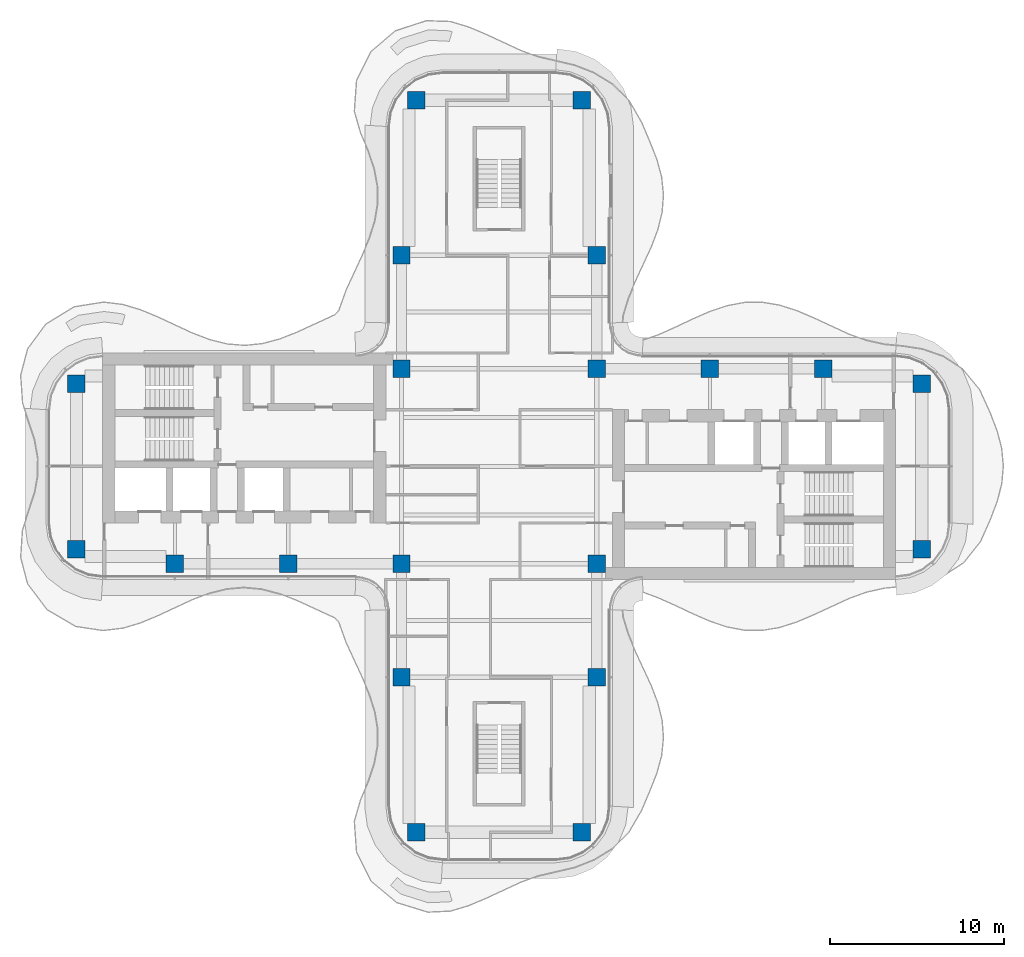
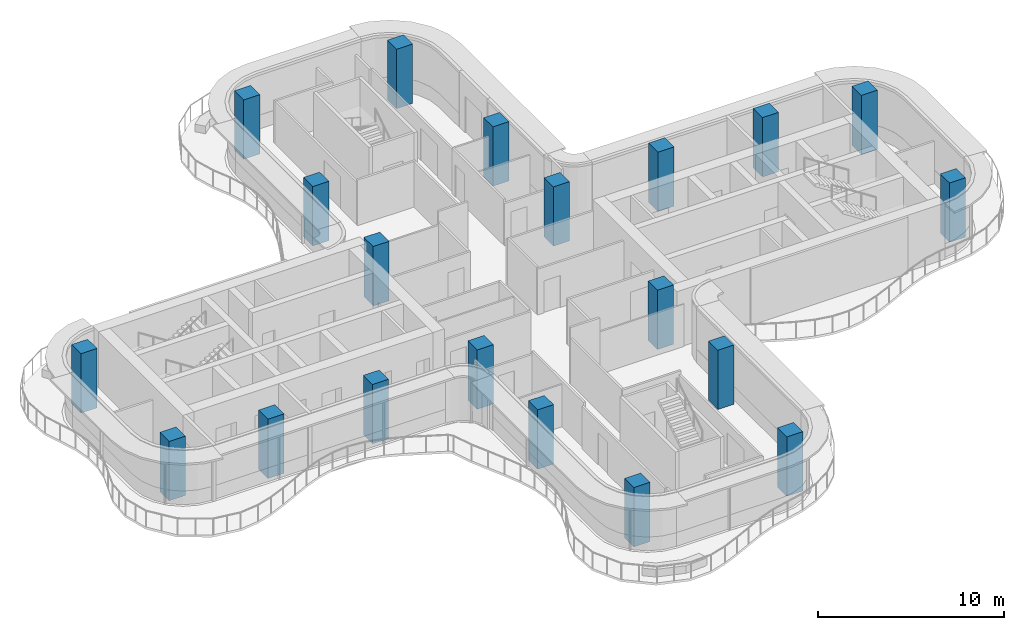
# One storey, part 1 of 15: 20 columns.
"""IFC4 building model written with IfcOpenShell, lengths in metres."""

import ifcopenshell
import ifcopenshell.guid

model = None  # the IFC model being written
_history = None  # IfcOwnerHistory: only IFC2X3 demands one
_inside = {}  # id of a spatial element -> (the spatial element, [elements in it])
_under = {}  # id of a project, library or spatial element -> (it, [spatial elements below it])
_declared = {}  # id of a project -> (the project, [libraries it declares])
_typed = {}  # id of a type object -> (the type object, [elements of that type])
_made_of = {}  # id of a material, layer set ... -> (it, [elements and type objects made of it])


def new_model(schema):
    """Start an empty IFC model of exactly this schema.

    Asked for "IFC4X3", IfcOpenShell would pick the latest addendum, in which some entities
    have other attributes; the version numbers below select the first issue.
    IFC2X3 requires an IfcOwnerHistory on every rooted entity: one is made here for all.
    """
    global model, _history
    if schema == "IFC4X3":
        model = ifcopenshell.file(schema_version=(4, 3, 0, 0))
    else:
        model = ifcopenshell.file(schema=schema)
    _inside.clear()
    _under.clear()
    _declared.clear()
    _typed.clear()
    _made_of.clear()
    _history = None
    if model.schema == "IFC2X3":
        org = make("IfcOrganization", Name="unknown")
        user = make(
            "IfcPersonAndOrganization",
            ThePerson=make("IfcPerson", FamilyName="unknown"),
            TheOrganization=org,
        )
        app = make(
            "IfcApplication",
            ApplicationDeveloper=org,
            Version="unknown",
            ApplicationFullName="unknown",
            ApplicationIdentifier="unknown",
        )
        _history = make(
            "IfcOwnerHistory",
            OwningUser=user,
            OwningApplication=app,
            ChangeAction="ADDED",
            CreationDate=0,
        )
    return model


def make(cls, **values):
    """One entity of the class cls with the attributes given. An attribute that is None is left unset."""
    return model.create_entity(
        cls, **{name: value for name, value in values.items() if value is not None}
    )


def rooted(cls, **values):
    """An entity with a GlobalId (a new one), such as an element, a storey or a relation."""
    return make(cls, GlobalId=ifcopenshell.guid.new(), OwnerHistory=_history, **values)


def si_unit(unit_type, name, prefix=None):
    """IfcSIUnit, for example si_unit("LENGTHUNIT", "METRE", prefix="MILLI")."""
    return make("IfcSIUnit", UnitType=unit_type, Prefix=prefix, Name=name)


def assignment(units):
    """IfcUnitAssignment: the units of a project."""
    return None if units is None else make("IfcUnitAssignment", Units=units)


def point(xyz):
    """IfcCartesianPoint."""
    return None if xyz is None else make("IfcCartesianPoint", Coordinates=xyz)


def direction(xyz):
    """IfcDirection."""
    return None if xyz is None else make("IfcDirection", DirectionRatios=xyz)


def frame(location, z_axis=None, x_axis=None):
    """IfcAxis2Placement3D, a coordinate frame: its origin and axes. An axis left out is left unset."""
    return make(
        "IfcAxis2Placement3D",
        Location=point(location),
        Axis=direction(z_axis),
        RefDirection=direction(x_axis),
    )


def frame_2d(location, x_axis=None):
    """IfcAxis2Placement2D, a coordinate frame in the plane: its origin and x axis."""
    return make(
        "IfcAxis2Placement2D", Location=point(location), RefDirection=direction(x_axis)
    )


def origin():
    """The frame at (0, 0, 0) with its axes left unset."""
    return frame((0.0, 0.0, 0.0))


def origin_2d():
    """The frame at (0, 0) in the plane with its x axis left unset."""
    return frame_2d((0.0, 0.0))


def place(relative_to, where):
    """IfcLocalPlacement: puts the frame where relative to a parent placement (None: the world)."""
    return make(
        "IfcLocalPlacement", PlacementRelTo=relative_to, RelativePlacement=where
    )


def context(
    kind, dimensions, precision=None, world=None, true_north=None, identifier=None
):
    """IfcGeometricRepresentationContext, for example the 3D "Model" context."""
    return make(
        "IfcGeometricRepresentationContext",
        ContextIdentifier=identifier,
        ContextType=kind,
        CoordinateSpaceDimension=dimensions,
        Precision=precision,
        WorldCoordinateSystem=world,
        TrueNorth=true_north,
    )


def subcontext(parent, identifier, kind, view, scale=None):
    """IfcGeometricRepresentationSubContext, for example "Body" below "Model"."""
    return make(
        "IfcGeometricRepresentationSubContext",
        ContextIdentifier=identifier,
        ContextType=kind,
        ParentContext=parent,
        TargetScale=scale,
        TargetView=view,
    )


def project(units=None, contexts=None):
    """IfcProject with its units and contexts."""
    return rooted(
        "IfcProject",
        Name="project",
        RepresentationContexts=contexts,
        UnitsInContext=assignment(units),
    )


def spatial(cls, under=None, at=None, **own):
    """A site, building, storey or space (cls), placed at a placement, below another one or the project."""
    s = rooted(cls, ObjectPlacement=at, **own)
    if under is not None:
        _under.setdefault(under.id(), (under, []))[1].append(s)
    return s


def profile(cls, at=None, kind="AREA", **sizes):
    """A parametric profile (cls). Its sizes go by their IFC names, for example OverallWidth=200.0."""
    return make(cls, ProfileType=kind, Position=at, **sizes)


def rectangle(**sizes):
    """IfcRectangleProfileDef."""
    return profile("IfcRectangleProfileDef", **sizes)


def extrude(swept, where, along, depth):
    """IfcExtrudedAreaSolid: the profile swept, set in the frame where, extruded along a direction by depth."""
    return make(
        "IfcExtrudedAreaSolid",
        SweptArea=swept,
        Position=where,
        ExtrudedDirection=direction(along),
        Depth=depth,
    )


def shape(context_of_items, identifier, shape_type, items):
    """IfcShapeRepresentation: the items that make up one representation, for example the "Body"."""
    return make(
        "IfcShapeRepresentation",
        ContextOfItems=context_of_items,
        RepresentationIdentifier=identifier,
        RepresentationType=shape_type,
        Items=items,
    )


def source(mapping_origin, context_of_items, identifier, shape_type, items):
    """IfcRepresentationMap: a shape defined once, which mapped items show again and again."""
    return make(
        "IfcRepresentationMap",
        MappingOrigin=mapping_origin,
        MappedRepresentation=shape(context_of_items, identifier, shape_type, items),
    )


def transform(
    local_origin,
    x_axis=None,
    y_axis=None,
    z_axis=None,
    scale=None,
    scale2=None,
    scale3=None,
    uniform=True,
):
    """IfcCartesianTransformationOperator3D, or its non-uniform kind. x_axis, y_axis, z_axis: its Axis1, 2, 3."""
    if uniform:
        return make(
            "IfcCartesianTransformationOperator3D",
            Axis1=direction(x_axis),
            Axis2=direction(y_axis),
            LocalOrigin=point(local_origin),
            Scale=scale,
            Axis3=direction(z_axis),
        )
    return make(
        "IfcCartesianTransformationOperator3DnonUniform",
        Axis1=direction(x_axis),
        Axis2=direction(y_axis),
        LocalOrigin=point(local_origin),
        Scale=scale,
        Axis3=direction(z_axis),
        Scale2=scale2,
        Scale3=scale3,
    )


def mapped(mapping_source, mapping_target):
    """IfcMappedItem: shows the shape of a source again, moved by a transform."""
    return make(
        "IfcMappedItem", MappingSource=mapping_source, MappingTarget=mapping_target
    )


def material(Name=None, Category=None):
    """IfcMaterial."""
    return make("IfcMaterial", Name=Name, Category=Category)


def material_profile(
    of_material, cross_section, Name=None, Category=None, Priority=None
):
    """IfcMaterialProfile: a cross section and its material."""
    return make(
        "IfcMaterialProfile",
        Name=Name,
        Material=of_material,
        Profile=cross_section,
        Priority=Priority,
        Category=Category,
    )


def profile_set(profiles, Name=None, composite=None):
    """IfcMaterialProfileSet."""
    return make(
        "IfcMaterialProfileSet",
        Name=Name,
        MaterialProfiles=profiles,
        CompositeProfile=composite,
    )


def made_of(thing, what):
    """Note that an element or type object is made of a material, layer set ...; save() writes the relation."""
    if what is not None:
        _made_of.setdefault(what.id(), (what, []))[1].append(thing)
    return thing


def type_object(cls, material=None, **own):
    """A type object (cls), such as IfcWallType, which elements share."""
    return made_of(rooted(cls, **own), material)


def element(
    cls,
    number,
    at=None,
    inside=None,
    cuts=None,
    type_object=None,
    material=None,
    context=None,
    identifier="Body",
    shape_type=None,
    held_by="IfcProductDefinitionShape",
    body=None,
    shapes=None,
    **own,
):
    """One element of the class cls, such as IfcWall. Its Tag is "e" and its number.

    at: its placement. inside: the storey or other place that contains it. cuts: it is an
    opening in that element (IfcRelVoidsElement). A single representation is given by context,
    identifier, shape_type and body (its items); several are given by shapes. held_by: the class
    of the entity that holds the representations. save() writes the other relations.
    """
    e = rooted(cls, Tag="e%d" % number, ObjectPlacement=at, **own)
    if body is not None:
        shapes = [shape(context, identifier, shape_type, body)]
    if shapes is not None:
        e.Representation = make(held_by, Representations=shapes)
    if inside is not None:
        _inside.setdefault(inside.id(), (inside, []))[1].append(e)
    if cuts is not None:
        rooted(
            "IfcRelVoidsElement", RelatingBuildingElement=cuts, RelatedOpeningElement=e
        )
    if type_object is not None:
        _typed.setdefault(type_object.id(), (type_object, []))[1].append(e)
    return made_of(e, material)


def aggregate(whole, parts):
    """IfcRelAggregates: a whole, such as a stair, and the parts it consists of."""
    return rooted("IfcRelAggregates", RelatingObject=whole, RelatedObjects=parts)


def save(model, path):
    """Write the relations noted so far, then the file.

    IfcRelAggregates (storeys below a building ...), IfcRelContainedInSpatialStructure (elements
    in a storey), IfcRelDefinesByType, IfcRelAssociatesMaterial and IfcRelDeclares: one each for
    every whole, place, type object, material and project.
    """
    for whole, parts in _under.values():
        aggregate(whole, parts)
    for where, things in _inside.values():
        rooted(
            "IfcRelContainedInSpatialStructure",
            RelatedElements=things,
            RelatingStructure=where,
        )
    for kind, things in _typed.values():
        rooted("IfcRelDefinesByType", RelatedObjects=things, RelatingType=kind)
    for what, things in _made_of.values():
        rooted("IfcRelAssociatesMaterial", RelatedObjects=things, RelatingMaterial=what)
    for by, libraries in _declared.values():
        rooted("IfcRelDeclares", RelatingContext=by, RelatedDefinitions=libraries)
    model.write(path)


model = new_model("IFC4")

# Units and contexts
model_context = context("Model", 3, precision=1e-05, world=origin(), true_north=direction((0.0, 1.0)))
body_context = subcontext(model_context, "Body", "Model", "MODEL_VIEW")
ifc_project = project(units=[si_unit("LENGTHUNIT", "METRE"), si_unit("AREAUNIT", "SQUARE_METRE"), si_unit("VOLUMEUNIT", "CUBIC_METRE"), si_unit("PLANEANGLEUNIT", "RADIAN"), si_unit("MASSUNIT", "GRAM", prefix="KILO")], contexts=[model_context])

# Site, building, storey
site_placement = place(None, origin())
site = spatial("IfcSite", under=ifc_project, at=site_placement, CompositionType="ELEMENT")
building_placement = place(site_placement, origin())
building = spatial("IfcBuilding", under=site, at=building_placement, Name="Trellis Farm Tower", CompositionType="ELEMENT")
storey_placement = place(building_placement, frame((0.0, 0.0, 287.199951171875)))
storey = spatial("IfcBuildingStorey", under=building, at=storey_placement, Name="L64", CompositionType="ELEMENT", Elevation=287.199951171875)

# Columns
ifc_material = material(Name="Concrete C60/75", Category="concrete")
ifc_material_profile = material_profile(ifc_material, rectangle(XDim=1.0, YDim=1.0, at=origin_2d()), Name="RC column 1000x1000 C60/75")
ifc_profile_set = profile_set([ifc_material_profile], Name="Concrete C60/75")
column_type = type_object("IfcColumnType", Name="RC column 1000x1000 C60/75", PredefinedType="COLUMN", material=ifc_profile_set)
shared_shape = source(origin(), body_context, "Body", "SweptSolid", [
    extrude(rectangle(XDim=1.0, YDim=1.0, at=origin_2d()), origin(), (0.0, 0.0, 1.0), 3.900146484375),
])
for number, where, z_axis, x_axis, name in (
    (1, (12.10009765625, 5.60009765625, 0.0), (0.0, 0.0, 1.0), (1.0, 0.0, 0.0), "Column"),
    (2, (18.60009765625, 5.60009765625, 0.0), (0.0, 0.0, 1.0), (1.0, 0.0, 0.0), "Column"),
    (3, (24.25, 4.75, 0.0), (0.0, 0.0, 1.0), (1.0, 0.0, 0.0), "Column"),
    (4, (24.25, -4.75, 0.0), (0.0, 0.0, 1.0), (1.0, 0.0, 0.0), "Column"),
    (5, (-5.60009765625, 12.10009765625, 0.0), (0.0, 0.0, 1.0), (1.0, 0.0, 0.0), "Column"),
    (6, (-4.75, 21.0, 0.0), (0.0, 0.0, 1.0), (1.0, 0.0, 0.0), "Column"),
    (7, (5.60009765625, 12.10009765625, 0.0), (0.0, 0.0, 1.0), (1.0, 0.0, 0.0), "Column"),
    (8, (4.75, 21.0, 0.0), (0.0, 0.0, 1.0), (1.0, 0.0, 0.0), "Column"),
    (9, (5.60009765625, 5.60009765625, 0.0), (0.0, 0.0, 1.0), (1.0, 0.0, 0.0), "Column"),
    (10, (-5.60009765625, 5.60009765625, 0.0), (0.0, 0.0, 1.0), (1.0, 0.0, 0.0), "Column"),
    (11, (5.60009765625, -5.60009765625, 0.0), (0.0, 0.0, 1.0), (1.0, 0.0, 0.0), "Column"),
    (12, (-5.60009765625, -5.60009765625, 0.0), (0.0, 0.0, 1.0), (1.0, 0.0, 0.0), "Column"),
    (13, (5.60009765625, -12.10009765625, 0.0), (0.0, 0.0, 1.0), (1.0, 0.0, 0.0), "Column"),
    (14, (4.75, -21.0, 0.0), (0.0, 0.0, 1.0), (1.0, 0.0, 0.0), "Column"),
    (15, (-5.60009765625, -12.10009765625, 0.0), (0.0, 0.0, 1.0), (1.0, 0.0, 0.0), "Column"),
    (16, (-4.75, -21.0, 0.0), (0.0, 0.0, 1.0), (1.0, 0.0, 0.0), "Column"),
    (17, (-12.10009765625, -5.60009765625, 0.0), (0.0, 0.0, 1.0), (1.0, 0.0, 0.0), "Column"),
    (18, (-18.60009765625, -5.60009765625, 0.0), (0.0, 0.0, 1.0), (1.0, 0.0, 0.0), "Column"),
    (19, (-24.25, -4.75, 0.0), (0.0, 0.0, 1.0), (1.0, 0.0, 0.0), "Column"),
    (20, (-24.25, 4.75, 0.0), (0.0, 0.0, 1.0), (1.0, 0.0, 0.0), "Column"),
):
    element("IfcColumn", number, at=place(storey_placement, frame(where, z_axis=z_axis, x_axis=x_axis)), inside=storey, type_object=column_type, Name=name, PredefinedType="COLUMN", context=body_context, shape_type="MappedRepresentation", body=[
        mapped(shared_shape, transform((0.0, 0.0, 0.0))),
    ])

save(model, "model.ifc")
